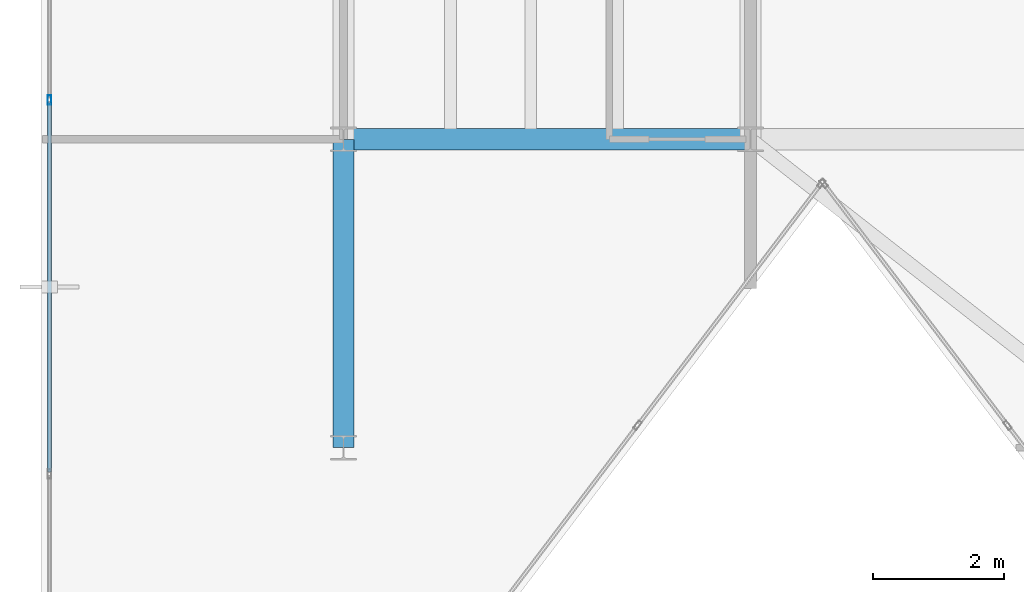
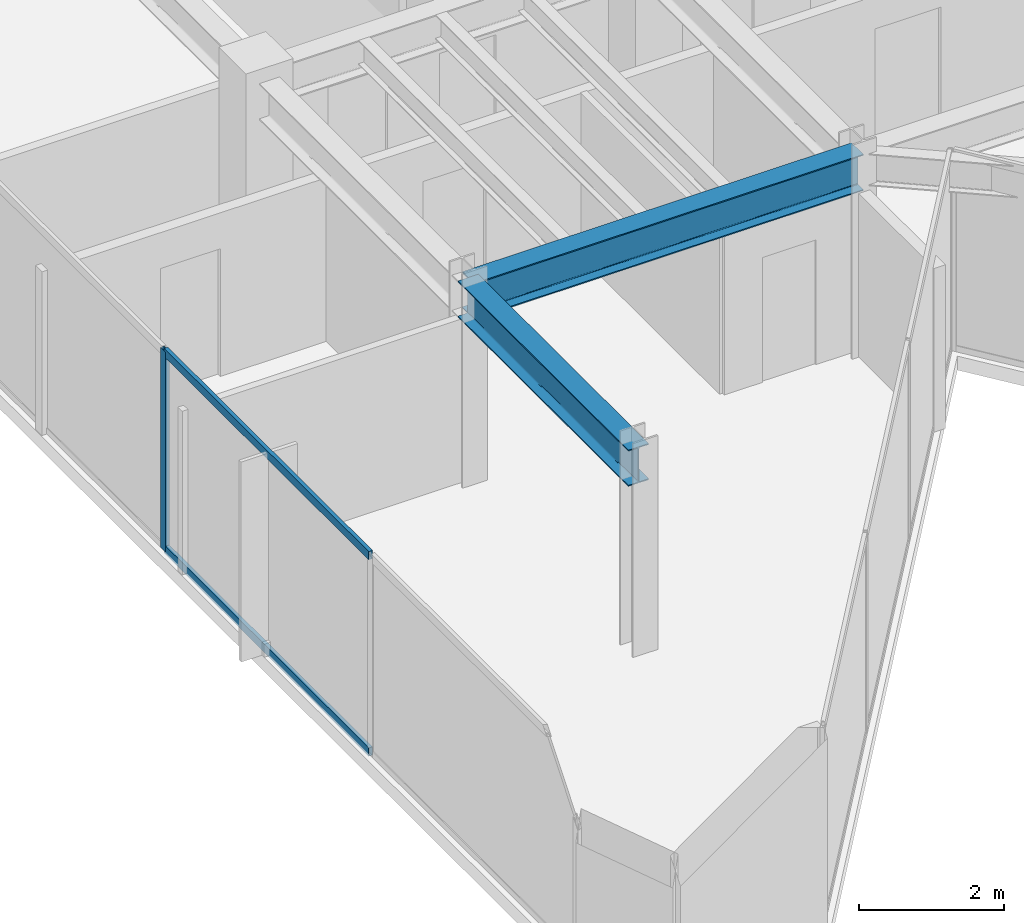
# One storey, part 4 of 16: 3 members, 2 beams, 1 element without a shape of its own.
"""IFC4 building model written with IfcOpenShell, lengths in metres."""

import ifcopenshell
import ifcopenshell.guid

model = None  # the IFC model being written
_history = None  # IfcOwnerHistory: only IFC2X3 demands one
_inside = {}  # id of a spatial element -> (the spatial element, [elements in it])
_under = {}  # id of a project, library or spatial element -> (it, [spatial elements below it])
_declared = {}  # id of a project -> (the project, [libraries it declares])
_typed = {}  # id of a type object -> (the type object, [elements of that type])
_made_of = {}  # id of a material, layer set ... -> (it, [elements and type objects made of it])


def new_model(schema):
    """Start an empty IFC model of exactly this schema.

    Asked for "IFC4X3", IfcOpenShell would pick the latest addendum, in which some entities
    have other attributes; the version numbers below select the first issue.
    IFC2X3 requires an IfcOwnerHistory on every rooted entity: one is made here for all.
    """
    global model, _history
    if schema == "IFC4X3":
        model = ifcopenshell.file(schema_version=(4, 3, 0, 0))
    else:
        model = ifcopenshell.file(schema=schema)
    _inside.clear()
    _under.clear()
    _declared.clear()
    _typed.clear()
    _made_of.clear()
    _history = None
    if model.schema == "IFC2X3":
        org = make("IfcOrganization", Name="unknown")
        user = make(
            "IfcPersonAndOrganization",
            ThePerson=make("IfcPerson", FamilyName="unknown"),
            TheOrganization=org,
        )
        app = make(
            "IfcApplication",
            ApplicationDeveloper=org,
            Version="unknown",
            ApplicationFullName="unknown",
            ApplicationIdentifier="unknown",
        )
        _history = make(
            "IfcOwnerHistory",
            OwningUser=user,
            OwningApplication=app,
            ChangeAction="ADDED",
            CreationDate=0,
        )
    return model


def make(cls, **values):
    """One entity of the class cls with the attributes given. An attribute that is None is left unset."""
    return model.create_entity(
        cls, **{name: value for name, value in values.items() if value is not None}
    )


def rooted(cls, **values):
    """An entity with a GlobalId (a new one), such as an element, a storey or a relation."""
    return make(cls, GlobalId=ifcopenshell.guid.new(), OwnerHistory=_history, **values)


def si_unit(unit_type, name, prefix=None):
    """IfcSIUnit, for example si_unit("LENGTHUNIT", "METRE", prefix="MILLI")."""
    return make("IfcSIUnit", UnitType=unit_type, Prefix=prefix, Name=name)


def assignment(units):
    """IfcUnitAssignment: the units of a project."""
    return None if units is None else make("IfcUnitAssignment", Units=units)


def point(xyz):
    """IfcCartesianPoint."""
    return None if xyz is None else make("IfcCartesianPoint", Coordinates=xyz)


def direction(xyz):
    """IfcDirection."""
    return None if xyz is None else make("IfcDirection", DirectionRatios=xyz)


def frame(location, z_axis=None, x_axis=None):
    """IfcAxis2Placement3D, a coordinate frame: its origin and axes. An axis left out is left unset."""
    return make(
        "IfcAxis2Placement3D",
        Location=point(location),
        Axis=direction(z_axis),
        RefDirection=direction(x_axis),
    )


def frame_2d(location, x_axis=None):
    """IfcAxis2Placement2D, a coordinate frame in the plane: its origin and x axis."""
    return make(
        "IfcAxis2Placement2D", Location=point(location), RefDirection=direction(x_axis)
    )


def origin():
    """The frame at (0, 0, 0) with its axes left unset."""
    return frame((0.0, 0.0, 0.0))


def origin_2d():
    """The frame at (0, 0) in the plane with its x axis left unset."""
    return frame_2d((0.0, 0.0))


def place(relative_to, where):
    """IfcLocalPlacement: puts the frame where relative to a parent placement (None: the world)."""
    return make(
        "IfcLocalPlacement", PlacementRelTo=relative_to, RelativePlacement=where
    )


def context(
    kind, dimensions, precision=None, world=None, true_north=None, identifier=None
):
    """IfcGeometricRepresentationContext, for example the 3D "Model" context."""
    return make(
        "IfcGeometricRepresentationContext",
        ContextIdentifier=identifier,
        ContextType=kind,
        CoordinateSpaceDimension=dimensions,
        Precision=precision,
        WorldCoordinateSystem=world,
        TrueNorth=true_north,
    )


def subcontext(parent, identifier, kind, view, scale=None):
    """IfcGeometricRepresentationSubContext, for example "Body" below "Model"."""
    return make(
        "IfcGeometricRepresentationSubContext",
        ContextIdentifier=identifier,
        ContextType=kind,
        ParentContext=parent,
        TargetScale=scale,
        TargetView=view,
    )


def project(units=None, contexts=None):
    """IfcProject with its units and contexts."""
    return rooted(
        "IfcProject",
        Name="project",
        RepresentationContexts=contexts,
        UnitsInContext=assignment(units),
    )


def spatial(cls, under=None, at=None, **own):
    """A site, building, storey or space (cls), placed at a placement, below another one or the project."""
    s = rooted(cls, ObjectPlacement=at, **own)
    if under is not None:
        _under.setdefault(under.id(), (under, []))[1].append(s)
    return s


def profile(cls, at=None, kind="AREA", **sizes):
    """A parametric profile (cls). Its sizes go by their IFC names, for example OverallWidth=200.0."""
    return make(cls, ProfileType=kind, Position=at, **sizes)


def hollow_rectangle(**sizes):
    """IfcRectangleHollowProfileDef."""
    return profile("IfcRectangleHollowProfileDef", **sizes)


def i_section(**sizes):
    """IfcIShapeProfileDef."""
    return profile("IfcIShapeProfileDef", **sizes)


def extrude(swept, where, along, depth):
    """IfcExtrudedAreaSolid: the profile swept, set in the frame where, extruded along a direction by depth."""
    return make(
        "IfcExtrudedAreaSolid",
        SweptArea=swept,
        Position=where,
        ExtrudedDirection=direction(along),
        Depth=depth,
    )


def shape(context_of_items, identifier, shape_type, items):
    """IfcShapeRepresentation: the items that make up one representation, for example the "Body"."""
    return make(
        "IfcShapeRepresentation",
        ContextOfItems=context_of_items,
        RepresentationIdentifier=identifier,
        RepresentationType=shape_type,
        Items=items,
    )


def material(Name=None, Category=None):
    """IfcMaterial."""
    return make("IfcMaterial", Name=Name, Category=Category)


def layer(
    of_material, thickness, ventilated=None, Name=None, Category=None, Priority=None
):
    """IfcMaterialLayer: one layer of a wall or slab, of a material (None: an air gap)."""
    return make(
        "IfcMaterialLayer",
        Material=of_material,
        LayerThickness=thickness,
        IsVentilated=ventilated,
        Name=Name,
        Category=Category,
        Priority=Priority,
    )


def layer_set(layers, Name=None):
    """IfcMaterialLayerSet."""
    return make("IfcMaterialLayerSet", MaterialLayers=layers, LayerSetName=Name)


def material_profile(
    of_material, cross_section, Name=None, Category=None, Priority=None
):
    """IfcMaterialProfile: a cross section and its material."""
    return make(
        "IfcMaterialProfile",
        Name=Name,
        Material=of_material,
        Profile=cross_section,
        Priority=Priority,
        Category=Category,
    )


def profile_set(profiles, Name=None, composite=None):
    """IfcMaterialProfileSet."""
    return make(
        "IfcMaterialProfileSet",
        Name=Name,
        MaterialProfiles=profiles,
        CompositeProfile=composite,
    )


def made_of(thing, what):
    """Note that an element or type object is made of a material, layer set ...; save() writes the relation."""
    if what is not None:
        _made_of.setdefault(what.id(), (what, []))[1].append(thing)
    return thing


def type_object(cls, material=None, **own):
    """A type object (cls), such as IfcWallType, which elements share."""
    return made_of(rooted(cls, **own), material)


def element(
    cls,
    number,
    at=None,
    inside=None,
    cuts=None,
    type_object=None,
    material=None,
    context=None,
    identifier="Body",
    shape_type=None,
    held_by="IfcProductDefinitionShape",
    body=None,
    shapes=None,
    **own,
):
    """One element of the class cls, such as IfcWall. Its Tag is "e" and its number.

    at: its placement. inside: the storey or other place that contains it. cuts: it is an
    opening in that element (IfcRelVoidsElement). A single representation is given by context,
    identifier, shape_type and body (its items); several are given by shapes. held_by: the class
    of the entity that holds the representations. save() writes the other relations.
    """
    e = rooted(cls, Tag="e%d" % number, ObjectPlacement=at, **own)
    if body is not None:
        shapes = [shape(context, identifier, shape_type, body)]
    if shapes is not None:
        e.Representation = make(held_by, Representations=shapes)
    if inside is not None:
        _inside.setdefault(inside.id(), (inside, []))[1].append(e)
    if cuts is not None:
        rooted(
            "IfcRelVoidsElement", RelatingBuildingElement=cuts, RelatedOpeningElement=e
        )
    if type_object is not None:
        _typed.setdefault(type_object.id(), (type_object, []))[1].append(e)
    return made_of(e, material)


def aggregate(whole, parts):
    """IfcRelAggregates: a whole, such as a stair, and the parts it consists of."""
    return rooted("IfcRelAggregates", RelatingObject=whole, RelatedObjects=parts)


def save(model, path):
    """Write the relations noted so far, then the file.

    IfcRelAggregates (storeys below a building ...), IfcRelContainedInSpatialStructure (elements
    in a storey), IfcRelDefinesByType, IfcRelAssociatesMaterial and IfcRelDeclares: one each for
    every whole, place, type object, material and project.
    """
    for whole, parts in _under.values():
        aggregate(whole, parts)
    for where, things in _inside.values():
        rooted(
            "IfcRelContainedInSpatialStructure",
            RelatedElements=things,
            RelatingStructure=where,
        )
    for kind, things in _typed.values():
        rooted("IfcRelDefinesByType", RelatedObjects=things, RelatingType=kind)
    for what, things in _made_of.values():
        rooted("IfcRelAssociatesMaterial", RelatedObjects=things, RelatingMaterial=what)
    for by, libraries in _declared.values():
        rooted("IfcRelDeclares", RelatingContext=by, RelatedDefinitions=libraries)
    model.write(path)


model = new_model("IFC4")

# Units and contexts
model_context = context("Model", 3, precision=1e-05, world=origin(), true_north=direction((0.0, 1.0)))
body_context = subcontext(model_context, "Body", "Model", "MODEL_VIEW")
ifc_project = project(units=[si_unit("LENGTHUNIT", "METRE"), si_unit("AREAUNIT", "SQUARE_METRE"), si_unit("VOLUMEUNIT", "CUBIC_METRE"), si_unit("PLANEANGLEUNIT", "RADIAN"), si_unit("MASSUNIT", "GRAM", prefix="KILO")], contexts=[model_context])

# Site, building, storey
site_placement = place(None, origin())
site = spatial("IfcSite", under=ifc_project, at=site_placement, CompositionType="ELEMENT")
building_placement = place(site_placement, origin())
building = spatial("IfcBuilding", under=site, at=building_placement, Name="Kravanh Interchange Tower", CompositionType="ELEMENT")
storey_placement = place(building_placement, frame((0.0, 0.0, 303.89990234375)))
storey = spatial("IfcBuildingStorey", under=building, at=storey_placement, Name="L75", CompositionType="ELEMENT", Elevation=303.89990234375)

# Curtain wall, members
ifc_material_1 = material(Name="Anodised Bronze Aluminium", Category="aluminium")
ifc_layer = layer(ifc_material_1, 0.179931640625)
ifc_layer_set = layer_set([ifc_layer], Name="Unitised Curtain Wall System CW-HTL Luxury Hotel")
curtain_wall_type = type_object("IfcCurtainWallType", Name="Unitised Curtain Wall System CW-HTL Luxury Hotel", PredefinedType="NOTDEFINED", material=ifc_layer_set)
curtain_wall_placement = place(storey_placement, origin())
curtain_wall = element("IfcCurtainWall", 1, at=curtain_wall_placement, inside=storey, type_object=curtain_wall_type, Name="L75 Unitised Curtain Wall CW-L75-01", PredefinedType="NOTDEFINED")
ifc_material_2 = material(Name="Anodised Bronze Aluminium", Category="aluminium")
ifc_material_profile_1 = material_profile(ifc_material_2, hollow_rectangle(XDim=0.06005859375, YDim=0.139892578125, WallThickness=0.00390625, at=origin_2d()), Name="ALU60X140X4")
ifc_profile_set_1 = profile_set([ifc_material_profile_1], Name="Anodised Bronze Aluminium")
member_type_1 = type_object("IfcMemberType", Name="Curtain Wall Mullion ALU60X140X4 Bronze", PredefinedType="MULLION", material=ifc_profile_set_1)
member_1_placement = place(storey_placement, frame((34.1201171875, 32.099853515625, 0.0), z_axis=(0.0, 0.0, 1.0), x_axis=(-1.0, 0.0, 0.0)))
member_1 = element("IfcMember", 2, at=member_1_placement, type_object=member_type_1, Name="CW-HTL mullion 3", PredefinedType="MULLION", context=body_context, shape_type="SweptSolid", body=[
    extrude(hollow_rectangle(XDim=0.06005859375, YDim=0.139892578125, WallThickness=0.00390625, at=origin_2d()), origin(), (0.0, 0.0, 1.0), 3.364990234375),
])
ifc_material_3 = material(Name="Anodised Bronze Aluminium", Category="aluminium")
ifc_material_profile_2 = material_profile(ifc_material_3, hollow_rectangle(XDim=0.06005859375, YDim=0.139892578125, WallThickness=0.00390625, at=origin_2d()), Name="ALU60X140X4")
ifc_profile_set_2 = profile_set([ifc_material_profile_2], Name="Anodised Bronze Aluminium")
member_type_2 = type_object("IfcMemberType", Name="Curtain Wall Transom ALU60X140X4 Bronze", PredefinedType="USERDEFINED", material=ifc_profile_set_2)
member_2_placement = place(storey_placement, frame((34.1201171875, 26.4296875, 0.030029296875), z_axis=(0.0, 1.0, 0.0), x_axis=(-1.0, 0.0, 0.0)))
member_2 = element("IfcMember", 3, at=member_2_placement, type_object=member_type_2, Name="CW-HTL transom 2.1", ObjectType="TRANSOM", PredefinedType="USERDEFINED", context=body_context, shape_type="SweptSolid", body=[
    extrude(hollow_rectangle(XDim=0.06005859375, YDim=0.139892578125, WallThickness=0.00390625, at=origin_2d()), origin(), (0.0, 0.0, 1.0), 5.64013671875),
])
member_3_placement = place(storey_placement, frame((34.1201171875, 26.4296875, 3.335205078125), z_axis=(0.0, 1.0, 0.0), x_axis=(-1.0, 0.0, 0.0)))
member_3 = element("IfcMember", 4, at=member_3_placement, type_object=member_type_2, Name="CW-HTL transom 2.2", ObjectType="TRANSOM", PredefinedType="USERDEFINED", context=body_context, shape_type="SweptSolid", body=[
    extrude(hollow_rectangle(XDim=0.06005859375, YDim=0.139892578125, WallThickness=0.00390625, at=origin_2d()), origin(), (0.0, 0.0, 1.0), 5.64013671875),
])
aggregate(curtain_wall, [member_1, member_2, member_3])

# Beams
ifc_material_4 = material(Name="Structural Steel S355", Category="steel")
ifc_material_profile_3 = material_profile(ifc_material_4, i_section(OverallWidth=0.323974609375, OverallDepth=0.611083984375, WebThickness=0.0126953125, FlangeThickness=0.01904296875, FilletRadius=0.02197265625, at=origin_2d()), Name="W24X104")
ifc_profile_set_3 = profile_set([ifc_material_profile_3], Name="Structural Steel S355")
beam_type = type_object("IfcBeamType", Name="Floor Beam W24X104 Structural Steel S355", PredefinedType="BEAM", material=ifc_profile_set_3)
beam_1_placement = place(storey_placement, frame((44.800048828125, 31.5, 3.0595703125), z_axis=(-1.0, 0.0, 0.0), x_axis=(0.0, -1.0, 0.0)))
element("IfcBeam", 5, at=beam_1_placement, inside=storey, type_object=beam_type, Name="L75 Primary Floor Girder 3", PredefinedType="BEAM", context=body_context, shape_type="SweptSolid", body=[
    extrude(i_section(OverallWidth=0.323974609375, OverallDepth=0.611083984375, WebThickness=0.0126953125, FlangeThickness=0.01904296875, FilletRadius=0.02197265625, at=origin_2d()), origin(), (0.0, 0.0, 1.0), 6.199951171875),
])
beam_2_placement = place(storey_placement, frame((38.60009765625, 31.5, 3.0595703125), z_axis=(0.0, -1.0, 0.0), x_axis=(1.0, 0.0, 0.0)))
element("IfcBeam", 6, at=beam_2_placement, inside=storey, type_object=beam_type, Name="L75 Primary Floor Girder 17", PredefinedType="BEAM", context=body_context, shape_type="SweptSolid", body=[
    extrude(i_section(OverallWidth=0.323974609375, OverallDepth=0.611083984375, WebThickness=0.0126953125, FlangeThickness=0.01904296875, FilletRadius=0.02197265625, at=origin_2d()), origin(), (0.0, 0.0, 1.0), 4.699951171875),
])

save(model, "model.ifc")
